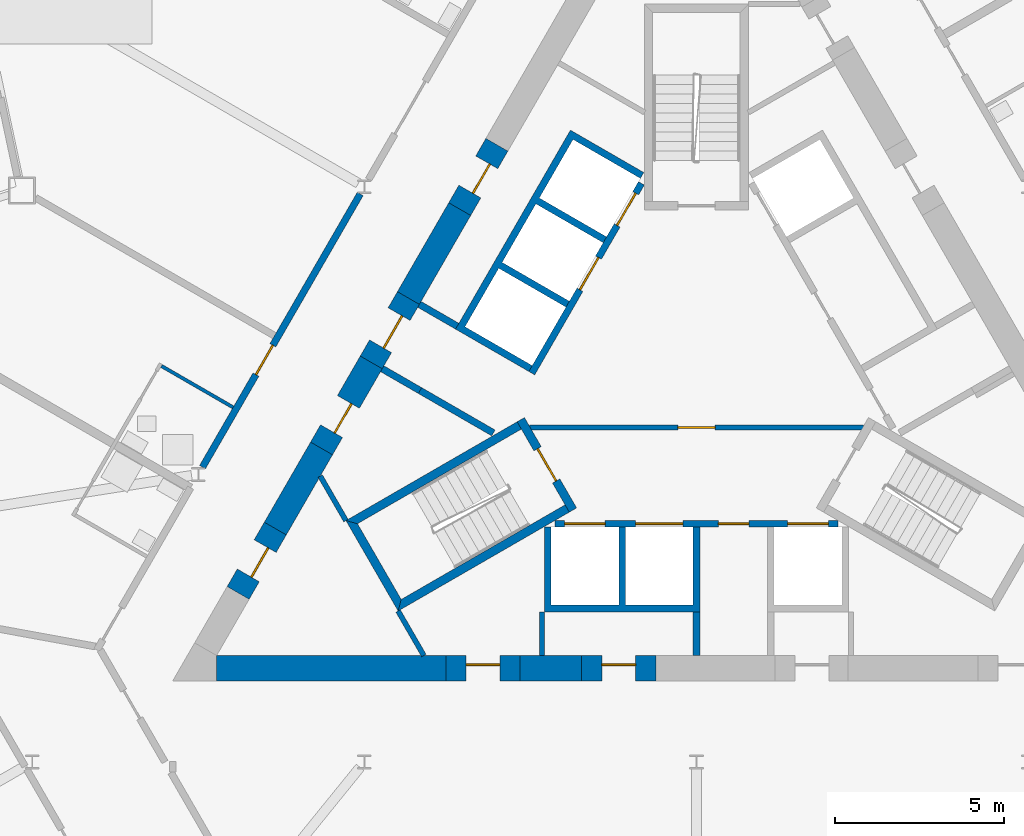
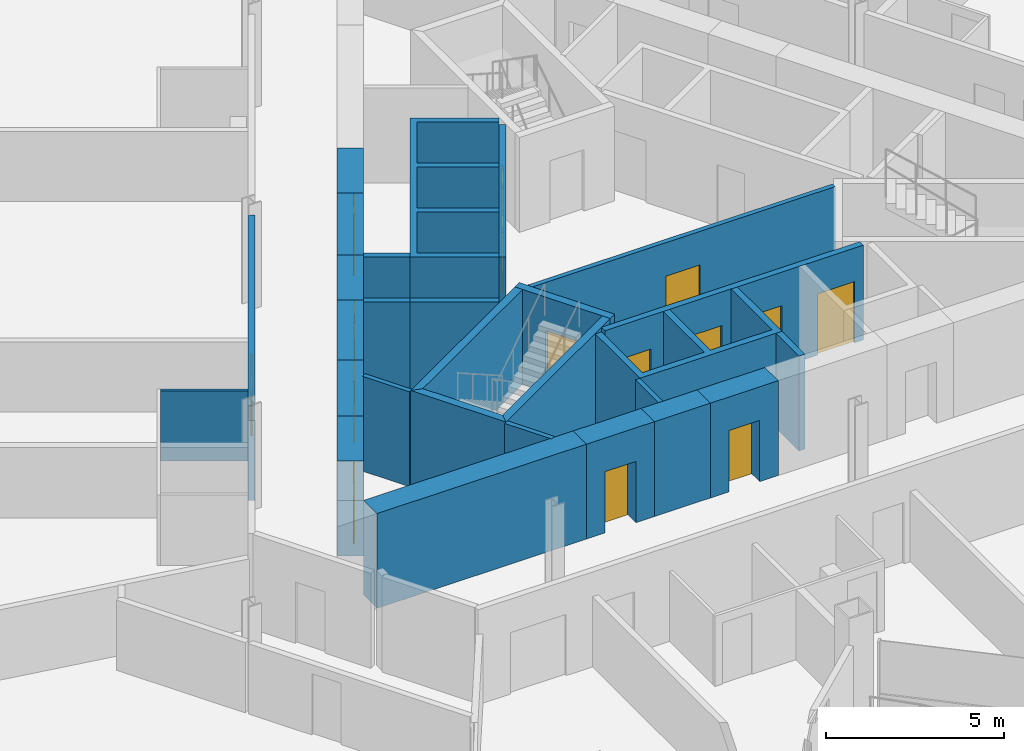
# One storey, part 12 of 24: 28 walls, 15 doors, 15 openings.
"""IFC4 building model written with IfcOpenShell, lengths in metres."""

from ifc_helpers import new_model, si_unit, direction, frame, frame_2d, origin, place, context, subcontext, project, spatial, polyline, rectangle, outline, extrude, material, layer, layer_set, type_object, element, fill, save


model = new_model("IFC4")

# Units and contexts
model_context = context("Model", 3, precision=1e-05, world=origin(), true_north=direction((0.0, 1.0)))
body_context = subcontext(model_context, "Body", "Model", "MODEL_VIEW")
ifc_project = project(units=[si_unit("LENGTHUNIT", "METRE"), si_unit("AREAUNIT", "SQUARE_METRE"), si_unit("VOLUMEUNIT", "CUBIC_METRE"), si_unit("PLANEANGLEUNIT", "RADIAN"), si_unit("MASSUNIT", "GRAM", prefix="KILO")], contexts=[model_context])

# Site, building, storey
site_placement = place(None, origin())
site = spatial("IfcSite", under=ifc_project, at=site_placement, CompositionType="ELEMENT")
building_placement = place(site_placement, origin())
building = spatial("IfcBuilding", under=site, at=building_placement, Name="Cormorant Prow Tower", CompositionType="ELEMENT")
storey_placement = place(building_placement, frame((0.0, 0.0, 205.199951171875)))
storey = spatial("IfcBuildingStorey", under=building, at=storey_placement, Name="L45", CompositionType="ELEMENT", Elevation=205.199951171875)

# Wall, opening, door
ifc_material_1 = material(Name="Gypsum board partition")
ifc_layer_1 = layer(ifc_material_1, 0.14990234375)
ifc_layer_set_1 = layer_set([ifc_layer_1], Name="Gypsum board partition")
wall_type_1 = type_object("IfcWallType", Name="Core partition 150", PredefinedType="PARTITIONING", material=ifc_layer_set_1)
wall_1_placement = place(storey_placement, frame((-4.941162109375, -1.449951171875, 0.0), z_axis=(0.0, 0.0, 1.0), x_axis=(1.0, 0.0, 0.0)))
wall_1 = element("IfcWall", 1, at=wall_1_placement, inside=storey, type_object=wall_type_1, Name="Firefighting lobby partition", PredefinedType="PARTITIONING", context=body_context, shape_type="SweptSolid", body=[
    extrude(rectangle(XDim=9.88232421875, YDim=0.14990234375, at=frame_2d((4.941162109375, 0.0))), origin(), (0.0, 0.0, 1.0), 3.25),
])
opening_1_placement = place(wall_1_placement, frame((4.39111328125, 0.0, 0.0)))
opening_1 = element("IfcOpeningElement", 2, at=opening_1_placement, cuts=wall_1, Name="Opening L45-C10", PredefinedType="OPENING", context=body_context, shape_type="SweptSolid", body=[
    extrude(rectangle(XDim=1.10009765625, YDim=2.10009765625, at=frame_2d((0.550048828125, 1.050048828125))), frame((0.0, 0.0849609375, 0.0), z_axis=(0.0, -1.0, 0.0), x_axis=(1.0, 0.0, 0.0)), (0.0, 0.0, 1.0), 0.169921875),
])
ifc_material_2 = material(Name="Painted steel", Category="steel")
door_type_1 = type_object("IfcDoorType", Name="Firefighting lobby door 1100x2100", OperationType="NOTDEFINED", PredefinedType="DOOR", material=ifc_material_2)
door_1_placement = place(opening_1_placement, origin())
door_1 = element("IfcDoor", 3, at=door_1_placement, inside=storey, type_object=door_type_1, Name="Firefighting lobby door", OperationType="SINGLE_SWING_LEFT", OverallHeight=2.10009765625, OverallWidth=1.10009765625, PredefinedType="DOOR", context=body_context, shape_type="SweptSolid", body=[
    extrude(rectangle(XDim=1.10009765625, YDim=2.10009765625, at=frame_2d((0.550048828125, 1.050048828125))), frame((0.0, 0.02490234375, 0.0), z_axis=(0.0, -1.0, 0.0), x_axis=(1.0, 0.0, 0.0)), (0.0, 0.0, 1.0), 0.050048828125),
])
fill(opening_1, door_1)

# Walls
wall_2_placement = place(storey_placement, frame((-4.574951171875, -6.906005859375, 0.0), z_axis=(0.0, 0.0, 1.0), x_axis=(0.0, -1.0, 0.0)))
element("IfcWall", 4, at=wall_2_placement, inside=storey, type_object=wall_type_1, Name="Service room partition", PredefinedType="PARTITIONING", context=body_context, shape_type="SweptSolid", body=[
    extrude(rectangle(XDim=1.29296875, YDim=0.14990234375, at=frame_2d((0.646484375, 0.0))), origin(), (0.0, 0.0, 1.0), 3.25),
])
for number, where, z_axis, x_axis, name in (
    (5, (-8.82958984375, -6.880615234375, 0.0), (0.0, 0.0, 1.0), (0.500037110984, -0.866003976688, 0.0), "Service room partition"),
    (6, (-10.37353515625, -4.206298828125, 0.0), (0.0, 0.0, 1.0), (-0.500037110984, 0.866003976688, 0.0), "Service room partition"),
):
    element("IfcWall", number, at=place(storey_placement, frame(where, z_axis=z_axis, x_axis=x_axis)), inside=storey, type_object=wall_type_1, Name=name, PredefinedType="PARTITIONING", context=body_context, shape_type="SweptSolid", body=[
        extrude(rectangle(XDim=1.5224609375, YDim=0.14990234375, at=frame_2d((0.76123046875, 0.0))), origin(), (0.0, 0.0, 1.0), 3.25),
    ])
ifc_material_3 = material(Name="Concrete 8000 psi", Category="concrete")
ifc_layer_2 = layer(ifc_material_3, 0.75)
ifc_layer_set_2 = layer_set([ifc_layer_2], Name="Concrete 8000 psi")
wall_type_2 = type_object("IfcWallType", Name="Core shear wall 750", PredefinedType="SHEAR", material=ifc_layer_set_2)
wall_3_placement = place(storey_placement, frame((-14.200927734375, -8.573974609375, 0.0), z_axis=(0.0, 0.0, 1.0), x_axis=(1.0, 0.0, 0.0)))
element("IfcWall", 7, at=wall_3_placement, inside=storey, type_object=wall_type_2, Name="Core wall", PredefinedType="SHEAR", context=body_context, shape_type="SweptSolid", body=[
    extrude(rectangle(XDim=6.784912109375, YDim=0.75, at=frame_2d((3.392578125, 0.0))), origin(), (0.0, 0.0, 1.0), 3.25),
])
wall_4_placement = place(storey_placement, frame((-5.2158203125, -8.573974609375, 0.0), z_axis=(0.0, 0.0, 1.0), x_axis=(1.0, 0.0, 0.0)))
element("IfcWall", 8, at=wall_4_placement, inside=storey, type_object=wall_type_2, Name="Core wall", PredefinedType="SHEAR", context=body_context, shape_type="SweptSolid", body=[
    extrude(rectangle(XDim=1.81591796875, YDim=0.75, at=frame_2d((0.907958984375, 0.0))), origin(), (0.0, 0.0, 1.0), 3.25),
])
wall_5_placement = place(storey_placement, frame((-7.00634765625, 5.012451171875, 0.0), z_axis=(0.0, 0.0, 1.0), x_axis=(-0.49996826437, -0.866043725583, 0.0)))
element("IfcWall", 9, at=wall_5_placement, inside=storey, type_object=wall_type_2, Name="Core wall", PredefinedType="SHEAR", context=body_context, shape_type="SweptSolid", body=[
    extrude(rectangle(XDim=3.037841796875, YDim=0.75, at=frame_2d((1.51904296875, 0.0))), origin(), (0.0, 0.0, 1.0), 3.25),
])
wall_6_placement = place(storey_placement, frame((-11.095703125, -2.0703125, 0.0), z_axis=(0.0, 0.0, 1.0), x_axis=(-0.49992834617, -0.86606676919, 0.0)))
element("IfcWall", 10, at=wall_6_placement, inside=storey, type_object=wall_type_2, Name="Core wall", PredefinedType="SHEAR", context=body_context, shape_type="SweptSolid", body=[
    extrude(rectangle(XDim=2.7373046875, YDim=0.75, at=frame_2d((1.36865234375, 0.0))), origin(), (0.0, 0.0, 1.0), 3.25),
])

# Wall, opening, door
wall_7_placement = place(storey_placement, frame((-3.39990234375, -8.573974609375, 0.0), z_axis=(0.0, 0.0, 1.0), x_axis=(1.0, 0.0, 0.0)))
wall_7 = element("IfcWall", 11, at=wall_7_placement, inside=storey, type_object=wall_type_2, Name="Core wall door panel", PredefinedType="SHEAR", context=body_context, shape_type="SweptSolid", body=[
    extrude(rectangle(XDim=2.199951171875, YDim=0.75, at=frame_2d((1.10009765625, 0.0))), origin(), (0.0, 0.0, 1.0), 3.25),
])
opening_2_placement = place(wall_7_placement, frame((0.60009765625, 0.0, 0.0)))
opening_2 = element("IfcOpeningElement", 12, at=opening_2_placement, cuts=wall_7, Name="Opening L45-C14", PredefinedType="OPENING", context=body_context, shape_type="SweptSolid", body=[
    extrude(rectangle(XDim=1.0, YDim=2.10009765625, at=frame_2d((0.5, 1.050048828125))), frame((0.0, 0.385009765625, 0.0), z_axis=(0.0, -1.0, 0.0), x_axis=(1.0, 0.0, 0.0)), (0.0, 0.0, 1.0), 0.77001953125),
])
ifc_material_4 = material(Name="Painted steel", Category="steel")
door_type_2 = type_object("IfcDoorType", Name="Service door 1000x2100", OperationType="NOTDEFINED", PredefinedType="DOOR", material=ifc_material_4)
door_2_placement = place(opening_2_placement, origin())
door_2 = element("IfcDoor", 13, at=door_2_placement, inside=storey, type_object=door_type_2, Name="Core door, Electrical room", OperationType="SINGLE_SWING_RIGHT", OverallHeight=2.10009765625, OverallWidth=1.0, PredefinedType="DOOR", context=body_context, shape_type="SweptSolid", body=[
    extrude(rectangle(XDim=1.0, YDim=2.10009765625, at=frame_2d((0.5, 1.050048828125))), frame((0.0, 0.1298828125, 0.0), z_axis=(0.0, -1.0, 0.0), x_axis=(1.0, 0.0, 0.0)), (0.0, 0.0, 1.0), 0.050048828125),
])
fill(opening_2, door_2)

wall_8_placement = place(storey_placement, frame((-12.46435546875, -4.44091796875, 0.0), z_axis=(0.0, 0.0, 1.0), x_axis=(-0.499994660107, -0.866028486751, 0.0)))
wall_8 = element("IfcWall", 14, at=wall_8_placement, inside=storey, type_object=wall_type_2, Name="Core wall door panel", PredefinedType="SHEAR", context=body_context, shape_type="SweptSolid", body=[
    extrude(rectangle(XDim=2.19970703125, YDim=0.75, at=frame_2d((1.099853515625, 0.0))), origin(), (0.0, 0.0, 1.0), 3.25),
])
opening_3_placement = place(wall_8_placement, frame((0.60009765625, 0.0, 0.0)))
opening_3 = element("IfcOpeningElement", 15, at=opening_3_placement, cuts=wall_8, Name="Opening L45-C16", PredefinedType="OPENING", context=body_context, shape_type="SweptSolid", body=[
    extrude(rectangle(XDim=1.0, YDim=2.10009765625, at=frame_2d((0.5, 1.050048828125))), frame((0.0, 0.385009765625, 0.0), z_axis=(0.0, -1.0, 0.0), x_axis=(1.0, 0.0, 0.0)), (0.0, 0.0, 1.0), 0.77001953125),
])
door_3_placement = place(opening_3_placement, origin())
door_3 = element("IfcDoor", 16, at=door_3_placement, inside=storey, type_object=door_type_2, Name="Core door, Mechanical riser room", OperationType="SINGLE_SWING_RIGHT", OverallHeight=2.10009765625, OverallWidth=1.0, PredefinedType="DOOR", context=body_context, shape_type="SweptSolid", body=[
    extrude(rectangle(XDim=1.0, YDim=2.10009765625, at=frame_2d((0.5, 1.050048828125))), frame((0.0, 0.1298828125, 0.0), z_axis=(0.0, -1.0, 0.0), x_axis=(1.0, 0.0, 0.0)), (0.0, 0.0, 1.0), 0.050048828125),
])
fill(opening_3, door_3)

wall_9_placement = place(storey_placement, frame((-5.906494140625, 6.917724609375, 0.0), z_axis=(0.0, 0.0, 1.0), x_axis=(-0.499946605688, -0.86605622881, 0.0)))
wall_9 = element("IfcWall", 17, at=wall_9_placement, inside=storey, type_object=wall_type_2, Name="Core wall door panel", PredefinedType="SHEAR", context=body_context, shape_type="SweptSolid", body=[
    extrude(rectangle(XDim=2.199951171875, YDim=0.75, at=frame_2d((1.10009765625, 0.0))), origin(), (0.0, 0.0, 1.0), 3.25),
])
opening_4_placement = place(wall_9_placement, frame((0.60009765625, 0.0, 0.0)))
opening_4 = element("IfcOpeningElement", 18, at=opening_4_placement, cuts=wall_9, Name="Opening L45-C18", PredefinedType="OPENING", context=body_context, shape_type="SweptSolid", body=[
    extrude(rectangle(XDim=1.0, YDim=2.10009765625, at=frame_2d((0.5, 1.050048828125))), frame((0.0, 0.385009765625, 0.0), z_axis=(0.0, -1.0, 0.0), x_axis=(1.0, 0.0, 0.0)), (0.0, 0.0, 1.0), 0.77001953125),
])
door_4_placement = place(opening_4_placement, origin())
door_4 = element("IfcDoor", 19, at=door_4_placement, inside=storey, type_object=door_type_2, Name="Core door, Electrical room", OperationType="SINGLE_SWING_LEFT", OverallHeight=2.10009765625, OverallWidth=1.0, PredefinedType="DOOR", context=body_context, shape_type="SweptSolid", body=[
    extrude(rectangle(XDim=1.0, YDim=2.10009765625, at=frame_2d((0.5, 1.050048828125))), frame((0.0, 0.1298828125, 0.0), z_axis=(0.0, -1.0, 0.0), x_axis=(1.0, 0.0, 0.0)), (0.0, 0.0, 1.0), 0.050048828125),
])
fill(opening_4, door_4)

wall_10_placement = place(storey_placement, frame((-9.625244140625, 0.4765625, 0.0), z_axis=(0.0, 0.0, 1.0), x_axis=(-0.500005104963, -0.866022456413, 0.0)))
wall_10 = element("IfcWall", 20, at=wall_10_placement, inside=storey, type_object=wall_type_2, Name="Core wall door panel", PredefinedType="SHEAR", context=body_context, shape_type="SweptSolid", body=[
    extrude(rectangle(XDim=2.94091796875, YDim=0.75, at=frame_2d((1.470458984375, 0.0))), origin(), (0.0, 0.0, 1.0), 3.25),
])
opening_5_placement = place(wall_10_placement, frame((1.35009765625, 0.0, 0.0)))
opening_5 = element("IfcOpeningElement", 21, at=opening_5_placement, cuts=wall_10, Name="Opening L45-C21", PredefinedType="OPENING", context=body_context, shape_type="SweptSolid", body=[
    extrude(rectangle(XDim=1.0, YDim=2.10009765625, at=frame_2d((0.5, 1.050048828125))), frame((0.0, 0.385009765625, 0.0), z_axis=(0.0, -1.0, 0.0), x_axis=(1.0, 0.0, 0.0)), (0.0, 0.0, 1.0), 0.77001953125),
])
door_5_placement = place(opening_5_placement, origin())
door_5 = element("IfcDoor", 22, at=door_5_placement, inside=storey, type_object=door_type_2, Name="Core door, Mechanical riser room", OperationType="SINGLE_SWING_RIGHT", OverallHeight=2.10009765625, OverallWidth=1.0, PredefinedType="DOOR", context=body_context, shape_type="SweptSolid", body=[
    extrude(rectangle(XDim=1.0, YDim=2.10009765625, at=frame_2d((0.5, 1.050048828125))), frame((0.0, 0.1298828125, 0.0), z_axis=(0.0, -1.0, 0.0), x_axis=(1.0, 0.0, 0.0)), (0.0, 0.0, 1.0), 0.050048828125),
])
fill(opening_5, door_5)

wall_11_placement = place(storey_placement, frame((-7.416015625, -8.573974609375, 0.0), z_axis=(0.0, 0.0, 1.0), x_axis=(1.0, 0.0, 0.0)))
wall_11 = element("IfcWall", 23, at=wall_11_placement, inside=storey, type_object=wall_type_2, Name="Core wall door panel", PredefinedType="SHEAR", context=body_context, shape_type="SweptSolid", body=[
    extrude(rectangle(XDim=2.2001953125, YDim=0.75, at=frame_2d((1.10009765625, 0.0))), origin(), (0.0, 0.0, 1.0), 3.25),
])
opening_6_placement = place(wall_11_placement, frame((0.60009765625, 0.0, 0.0)))
opening_6 = element("IfcOpeningElement", 24, at=opening_6_placement, cuts=wall_11, Name="Opening L45-C22", PredefinedType="OPENING", context=body_context, shape_type="SweptSolid", body=[
    extrude(rectangle(XDim=1.0, YDim=2.10009765625, at=frame_2d((0.5, 1.050048828125))), frame((0.0, 0.385009765625, 0.0), z_axis=(0.0, -1.0, 0.0), x_axis=(1.0, 0.0, 0.0)), (0.0, 0.0, 1.0), 0.77001953125),
])
door_6_placement = place(opening_6_placement, origin())
door_6 = element("IfcDoor", 25, at=door_6_placement, inside=storey, type_object=door_type_2, Name="Core door, Mechanical riser room", OperationType="SINGLE_SWING_RIGHT", OverallHeight=2.10009765625, OverallWidth=1.0, PredefinedType="DOOR", context=body_context, shape_type="SweptSolid", body=[
    extrude(rectangle(XDim=1.0, YDim=2.10009765625, at=frame_2d((0.5, 1.050048828125))), frame((0.0, 0.1298828125, 0.0), z_axis=(0.0, -1.0, 0.0), x_axis=(1.0, 0.0, 0.0)), (0.0, 0.0, 1.0), 0.050048828125),
])
fill(opening_6, door_6)

wall_12_placement = place(storey_placement, frame((-8.525146484375, 2.381591796875, 0.0), z_axis=(0.0, 0.0, 1.0), x_axis=(-0.500077893725, -0.86598042715, 0.0)))
wall_12 = element("IfcWall", 26, at=wall_12_placement, inside=storey, type_object=wall_type_2, Name="Core wall door panel", PredefinedType="SHEAR", context=body_context, shape_type="SweptSolid", body=[
    extrude(rectangle(XDim=2.199951171875, YDim=0.75, at=frame_2d((1.10009765625, 0.0))), origin(), (0.0, 0.0, 1.0), 3.25),
])
opening_7_placement = place(wall_12_placement, frame((0.550048828125, 0.0, 0.0)))
opening_7 = element("IfcOpeningElement", 27, at=opening_7_placement, cuts=wall_12, Name="Opening L45-C24", PredefinedType="OPENING", context=body_context, shape_type="SweptSolid", body=[
    extrude(rectangle(XDim=1.10009765625, YDim=2.10009765625, at=frame_2d((0.550048828125, 1.050048828125))), frame((0.0, 0.385009765625, 0.0), z_axis=(0.0, -1.0, 0.0), x_axis=(1.0, 0.0, 0.0)), (0.0, 0.0, 1.0), 0.77001953125),
])
ifc_material_5 = material(Name="Painted steel", Category="steel")
door_type_3 = type_object("IfcDoorType", Name="Core door 1100x2100", OperationType="NOTDEFINED", PredefinedType="DOOR", material=ifc_material_5)
door_7_placement = place(opening_7_placement, origin())
door_7 = element("IfcDoor", 28, at=door_7_placement, inside=storey, type_object=door_type_3, Name="Core door, lift lobby", OperationType="SINGLE_SWING_LEFT", OverallHeight=2.10009765625, OverallWidth=1.10009765625, PredefinedType="DOOR", context=body_context, shape_type="SweptSolid", body=[
    extrude(rectangle(XDim=1.10009765625, YDim=2.10009765625, at=frame_2d((0.550048828125, 1.050048828125))), frame((0.0, 0.1298828125, 0.0), z_axis=(0.0, -1.0, 0.0), x_axis=(1.0, 0.0, 0.0)), (0.0, 0.0, 1.0), 0.050048828125),
])
fill(opening_7, door_7)

ifc_material_6 = material(Name="Gypsum board corridor wall")
ifc_layer_3 = layer(ifc_material_6, 0.199951171875)
ifc_layer_set_3 = layer_set([ifc_layer_3], Name="Gypsum board corridor wall")
wall_type_3 = type_object("IfcWallType", Name="Corridor wall 200", PredefinedType="PARTITIONING", material=ifc_layer_set_3)
wall_13_placement = place(storey_placement, frame((-14.619384765625, -2.62353515625, 0.0), z_axis=(0.0, 0.0, 1.0), x_axis=(0.50000393355, 0.866023132736, 0.0)))
wall_13 = element("IfcWall", 29, at=wall_13_placement, inside=storey, type_object=wall_type_3, Name="Corridor wall", PredefinedType="PARTITIONING", context=body_context, shape_type="SweptSolid", body=[
    extrude(rectangle(XDim=9.3349609375, YDim=0.199951171875, at=frame_2d((4.66748046875, 0.0))), origin(), (0.0, 0.0, 1.0), 3.25),
])
opening_8_placement = place(wall_13_placement, frame((3.1630859375, 0.0, 0.0)))
opening_8 = element("IfcOpeningElement", 30, at=opening_8_placement, cuts=wall_13, Name="Opening L45-F26", PredefinedType="OPENING", context=body_context, shape_type="SweptSolid", body=[
    extrude(rectangle(XDim=1.0, YDim=2.10009765625, at=frame_2d((0.5, 1.050048828125))), frame((0.0, 0.10986328125, 0.0), z_axis=(0.0, -1.0, 0.0), x_axis=(1.0, 0.0, 0.0)), (0.0, 0.0, 1.0), 0.219970703125),
])
ifc_material_7 = material(Name="Timber door leaf", Category="wood")
door_type_4 = type_object("IfcDoorType", Name="Flat or room entrance door 1000x2100", OperationType="NOTDEFINED", PredefinedType="DOOR", material=ifc_material_7)
door_8_placement = place(opening_8_placement, origin())
door_8 = element("IfcDoor", 31, at=door_8_placement, inside=storey, type_object=door_type_4, Name="Guest room door", OperationType="SINGLE_SWING_RIGHT", OverallHeight=2.10009765625, OverallWidth=1.0, PredefinedType="DOOR", context=body_context, shape_type="SweptSolid", body=[
    extrude(rectangle(XDim=1.0, YDim=2.10009765625, at=frame_2d((0.5, 1.050048828125))), frame((0.0, 0.02490234375, 0.0), z_axis=(0.0, -1.0, 0.0), x_axis=(1.0, 0.0, 0.0)), (0.0, 0.0, 1.0), 0.050048828125),
])
fill(opening_8, door_8)

# Wall
ifc_material_8 = material(Name="Gypsum board partition")
ifc_layer_4 = layer(ifc_material_8, 0.10009765625)
ifc_layer_set_4 = layer_set([ifc_layer_4], Name="Gypsum board partition")
wall_type_4 = type_object("IfcWallType", Name="Internal partition 100", PredefinedType="PARTITIONING", material=ifc_layer_set_4)
wall_14_placement = place(storey_placement, frame((-15.8349609375, 0.37109375, 0.0), z_axis=(0.0, 0.0, 1.0), x_axis=(0.866014668023, -0.500018594424, 0.0)))
element("IfcWall", 32, at=wall_14_placement, inside=storey, type_object=wall_type_4, Name="Internal partition", PredefinedType="PARTITIONING", context=body_context, shape_type="SweptSolid", body=[
    extrude(rectangle(XDim=2.4501953125, YDim=0.10009765625, at=frame_2d((1.22509765625, 0.0))), origin(), (0.0, 0.0, 1.0), 2.404296875),
])

# Wall, openings, doors
ifc_material_9 = material(Name="Concrete 5000 psi", Category="concrete")
ifc_layer_5 = layer(ifc_material_9, 0.199951171875)
ifc_layer_set_5 = layer_set([ifc_layer_5], Name="Concrete 5000 psi")
wall_type_5 = type_object("IfcWallType", Name="Lift lobby wall 200", PredefinedType="SOLIDWALL", material=ifc_layer_set_5)
wall_15_placement = place(storey_placement, frame((-4.1865234375, -4.300048828125, 0.0), z_axis=(0.0, 0.0, 1.0), x_axis=(1.0, 0.0, 0.0)))
wall_15 = element("IfcWall", 33, at=wall_15_placement, inside=storey, type_object=wall_type_5, Name="Lift lobby wall, S block", PredefinedType="SOLIDWALL", context=body_context, shape_type="SweptSolid", body=[
    extrude(rectangle(XDim=8.373046875, YDim=0.199951171875, at=frame_2d((4.1865234375, 0.0))), origin(), (0.0, 0.0, 1.0), 3.25),
])
opening_9_placement = place(wall_15_placement, frame((0.28662109375, 0.0, 0.0)))
opening_9 = element("IfcOpeningElement", 34, at=opening_9_placement, cuts=wall_15, Name="Opening L45-C01", PredefinedType="OPENING", context=body_context, shape_type="SweptSolid", body=[
    extrude(rectangle(XDim=1.199951171875, YDim=2.10009765625, at=frame_2d((0.60009765625, 1.050048828125))), frame((0.0, 0.10986328125, 0.0), z_axis=(0.0, -1.0, 0.0), x_axis=(1.0, 0.0, 0.0)), (0.0, 0.0, 1.0), 0.219970703125),
])
opening_10_placement = place(wall_15_placement, frame((2.38671875, 0.0, 0.0)))
opening_10 = element("IfcOpeningElement", 35, at=opening_10_placement, cuts=wall_15, Name="Opening L45-C02", PredefinedType="OPENING", context=body_context, shape_type="SweptSolid", body=[
    extrude(rectangle(XDim=1.39990234375, YDim=2.10009765625, at=frame_2d((0.699951171875, 1.050048828125))), frame((0.0, 0.10986328125, 0.0), z_axis=(0.0, -1.0, 0.0), x_axis=(1.0, 0.0, 0.0)), (0.0, 0.0, 1.0), 0.219970703125),
])
opening_11_placement = place(wall_15_placement, frame((4.836669921875, 0.0, 0.0)))
opening_11 = element("IfcOpeningElement", 36, at=opening_11_placement, cuts=wall_15, Name="Opening L45-C03", PredefinedType="OPENING", context=body_context, shape_type="SweptSolid", body=[
    extrude(rectangle(XDim=0.89990234375, YDim=2.10009765625, at=frame_2d((0.449951171875, 1.050048828125))), frame((0.0, 0.10986328125, 0.0), z_axis=(0.0, -1.0, 0.0), x_axis=(1.0, 0.0, 0.0)), (0.0, 0.0, 1.0), 0.219970703125),
])
opening_12_placement = place(wall_15_placement, frame((6.88671875, 0.0, 0.0)))
opening_12 = element("IfcOpeningElement", 37, at=opening_12_placement, cuts=wall_15, Name="Opening L45-C04", PredefinedType="OPENING", context=body_context, shape_type="SweptSolid", body=[
    extrude(rectangle(XDim=1.199951171875, YDim=2.10009765625, at=frame_2d((0.60009765625, 1.050048828125))), frame((0.0, 0.10986328125, 0.0), z_axis=(0.0, -1.0, 0.0), x_axis=(1.0, 0.0, 0.0)), (0.0, 0.0, 1.0), 0.219970703125),
])
ifc_material_10 = material(Name="Painted steel", Category="steel")
door_type_5 = type_object("IfcDoorType", Name="Firefighting lift landing door 1200x2100", OperationType="SLIDING_TO_LEFT", PredefinedType="DOOR", material=ifc_material_10)
door_9_placement = place(opening_9_placement, origin())
door_9 = element("IfcDoor", 38, at=door_9_placement, inside=storey, type_object=door_type_5, Name="Landing door FL1", OperationType="SLIDING_TO_LEFT", OverallHeight=2.10009765625, OverallWidth=1.199951171875, PredefinedType="DOOR", context=body_context, shape_type="SweptSolid", body=[
    extrude(rectangle(XDim=1.199951171875, YDim=2.10009765625, at=frame_2d((0.60009765625, 1.050048828125))), frame((0.0, 0.02490234375, 0.0), z_axis=(0.0, -1.0, 0.0), x_axis=(1.0, 0.0, 0.0)), (0.0, 0.0, 1.0), 0.050048828125),
])
fill(opening_9, door_9)
door_10_placement = place(opening_12_placement, origin())
door_10 = element("IfcDoor", 39, at=door_10_placement, inside=storey, type_object=door_type_5, Name="Landing door FL2", OperationType="SLIDING_TO_LEFT", OverallHeight=2.10009765625, OverallWidth=1.199951171875, PredefinedType="DOOR", context=body_context, shape_type="SweptSolid", body=[
    extrude(rectangle(XDim=1.199951171875, YDim=2.10009765625, at=frame_2d((0.60009765625, 1.050048828125))), frame((0.0, 0.02490234375, 0.0), z_axis=(0.0, -1.0, 0.0), x_axis=(1.0, 0.0, 0.0)), (0.0, 0.0, 1.0), 0.050048828125),
])
fill(opening_12, door_10)
ifc_material_11 = material(Name="Painted steel", Category="steel")
door_type_6 = type_object("IfcDoorType", Name="Service door 900x2100", OperationType="NOTDEFINED", PredefinedType="DOOR", material=ifc_material_11)
door_11_placement = place(opening_11_placement, origin())
door_11 = element("IfcDoor", 40, at=door_11_placement, inside=storey, type_object=door_type_6, Name="Service door, Electrical room", OperationType="SINGLE_SWING_RIGHT", OverallHeight=2.10009765625, OverallWidth=0.89990234375, PredefinedType="DOOR", context=body_context, shape_type="SweptSolid", body=[
    extrude(rectangle(XDim=0.89990234375, YDim=2.10009765625, at=frame_2d((0.449951171875, 1.050048828125))), frame((0.0, 0.02490234375, 0.0), z_axis=(0.0, -1.0, 0.0), x_axis=(1.0, 0.0, 0.0)), (0.0, 0.0, 1.0), 0.050048828125),
])
fill(opening_11, door_11)
ifc_material_12 = material(Name="Painted steel", Category="steel")
door_type_7 = type_object("IfcDoorType", Name="Service lift landing door 1400x2100", OperationType="SLIDING_TO_LEFT", PredefinedType="DOOR", material=ifc_material_12)
door_12_placement = place(opening_10_placement, origin())
door_12 = element("IfcDoor", 41, at=door_12_placement, inside=storey, type_object=door_type_7, Name="Landing door SL1", OperationType="SLIDING_TO_LEFT", OverallHeight=2.10009765625, OverallWidth=1.39990234375, PredefinedType="DOOR", context=body_context, shape_type="SweptSolid", body=[
    extrude(rectangle(XDim=1.39990234375, YDim=2.10009765625, at=frame_2d((0.699951171875, 1.050048828125))), frame((0.0, 0.02490234375, 0.0), z_axis=(0.0, -1.0, 0.0), x_axis=(1.0, 0.0, 0.0)), (0.0, 0.0, 1.0), 0.050048828125),
])
fill(opening_10, door_12)

wall_16_placement = place(storey_placement, frame((-1.630615234375, 5.775634765625, 0.0), z_axis=(0.0, 0.0, 1.0), x_axis=(-0.499992876559, -0.866029516466, 0.0)))
wall_16 = element("IfcWall", 42, at=wall_16_placement, inside=storey, type_object=wall_type_5, Name="Lift lobby wall, WNW block", PredefinedType="SOLIDWALL", context=body_context, shape_type="SweptSolid", body=[
    extrude(rectangle(XDim=6.486328125, YDim=0.199951171875, at=frame_2d((3.2431640625, 0.0))), origin(), (0.0, 0.0, 1.0), 3.25),
])
opening_13_placement = place(wall_16_placement, frame((0.336669921875, 0.0, 0.0)))
opening_13 = element("IfcOpeningElement", 43, at=opening_13_placement, cuts=wall_16, Name="Opening L45-C08", PredefinedType="OPENING", context=body_context, shape_type="SweptSolid", body=[
    extrude(rectangle(XDim=1.10009765625, YDim=2.10009765625, at=frame_2d((0.550048828125, 1.050048828125))), frame((0.0, 0.10986328125, 0.0), z_axis=(0.0, -1.0, 0.0), x_axis=(1.0, 0.0, 0.0)), (0.0, 0.0, 1.0), 0.219970703125),
])
opening_14_placement = place(wall_16_placement, frame((2.53662109375, 0.0, 0.0)))
opening_14 = element("IfcOpeningElement", 44, at=opening_14_placement, cuts=wall_16, Name="Opening L45-C09", PredefinedType="OPENING", context=body_context, shape_type="SweptSolid", body=[
    extrude(rectangle(XDim=1.10009765625, YDim=2.10009765625, at=frame_2d((0.550048828125, 1.050048828125))), frame((0.0, 0.10986328125, 0.0), z_axis=(0.0, -1.0, 0.0), x_axis=(1.0, 0.0, 0.0)), (0.0, 0.0, 1.0), 0.219970703125),
])
ifc_material_13 = material(Name="Painted steel", Category="steel")
door_type_8 = type_object("IfcDoorType", Name="Lift landing door 1100x2100", OperationType="SLIDING_TO_LEFT", PredefinedType="DOOR", material=ifc_material_13)
door_13_placement = place(opening_13_placement, origin())
door_13 = element("IfcDoor", 45, at=door_13_placement, inside=storey, type_object=door_type_8, Name="Landing door MR2", OperationType="SLIDING_TO_LEFT", OverallHeight=2.10009765625, OverallWidth=1.10009765625, PredefinedType="DOOR", context=body_context, shape_type="SweptSolid", body=[
    extrude(rectangle(XDim=1.10009765625, YDim=2.10009765625, at=frame_2d((0.550048828125, 1.050048828125))), frame((0.0, 0.02490234375, 0.0), z_axis=(0.0, -1.0, 0.0), x_axis=(1.0, 0.0, 0.0)), (0.0, 0.0, 1.0), 0.050048828125),
])
fill(opening_13, door_13)
door_14_placement = place(opening_14_placement, origin())
door_14 = element("IfcDoor", 46, at=door_14_placement, inside=storey, type_object=door_type_8, Name="Landing door MR3", OperationType="SLIDING_TO_LEFT", OverallHeight=2.10009765625, OverallWidth=1.10009765625, PredefinedType="DOOR", context=body_context, shape_type="SweptSolid", body=[
    extrude(rectangle(XDim=1.10009765625, YDim=2.10009765625, at=frame_2d((0.550048828125, 1.050048828125))), frame((0.0, 0.02490234375, 0.0), z_axis=(0.0, -1.0, 0.0), x_axis=(1.0, 0.0, 0.0)), (0.0, 0.0, 1.0), 0.050048828125),
])
fill(opening_14, door_14)

# Walls
ifc_material_14 = material(Name="Concrete 8000 psi", Category="concrete")
ifc_layer_6 = layer(ifc_material_14, 0.199951171875)
ifc_layer_set_6 = layer_set([ifc_layer_6], Name="Concrete 8000 psi")
wall_type_6 = type_object("IfcWallType", Name="Lift shaft wall 200", PredefinedType="SHEAR", material=ifc_layer_set_6)
wall_17_placement = place(storey_placement, origin())
element("IfcWall", 47, at=wall_17_placement, inside=storey, type_object=wall_type_6, Name="Lift shaft walls, S block", PredefinedType="SHEAR", context=body_context, shape_type="SweptSolid", body=[
    extrude(outline(polyline([(0.10009765625, -4.39990234375), (0.10009765625, -6.906005859375), (-4.5, -6.906005859375), (-4.5, -4.39990234375), (-4.300048828125, -4.39990234375), (-4.300048828125, -6.699951171875), (-2.300048828125, -6.699951171875), (-2.300048828125, -4.39990234375), (-2.10009765625, -4.39990234375), (-2.10009765625, -6.699951171875), (-0.10009765625, -6.699951171875), (-0.10009765625, -4.39990234375), (0.10009765625, -4.39990234375)])), origin(), (0.0, 0.0, 1.0), 3.25),
])
wall_18_placement = place(storey_placement, frame((0.0, -6.906005859375, 0.0), z_axis=(0.0, 0.0, 1.0), x_axis=(0.0, -1.0, 0.0)))
element("IfcWall", 48, at=wall_18_placement, inside=storey, type_object=wall_type_6, Name="Store side wall", PredefinedType="SHEAR", context=body_context, shape_type="SweptSolid", body=[
    extrude(rectangle(XDim=1.29296875, YDim=0.199951171875, at=frame_2d((0.646484375, 0.0))), origin(), (0.0, 0.0, 1.0), 3.25),
])
wall_19_placement = place(storey_placement, origin())
element("IfcWall", 49, at=wall_19_placement, inside=storey, type_object=wall_type_6, Name="Lift shaft walls, WNW block", PredefinedType="SHEAR", context=body_context, shape_type="SweptSolid", body=[
    extrude(outline(polyline([(-6.060546875, -1.697021484375), (-8.230712890625, -0.444091796875), (-8.130859375, -0.27099609375), (-5.96044921875, -1.52392578125), (-6.060546875, -1.697021484375)])), origin(), (0.0, 0.0, 1.0), 3.25),
])
wall_20_placement = place(storey_placement, origin())
element("IfcWall", 50, at=wall_20_placement, inside=storey, type_object=wall_type_6, Name="Lift shaft walls, WNW block", PredefinedType="SHEAR", context=body_context, shape_type="SweptSolid", body=[
    extrude(outline(polyline([(-4.96044921875, 0.2080078125), (-7.130859375, 1.461181640625), (-3.730712890625, 7.35009765625), (-1.560546875, 6.09716796875), (-1.660400390625, 5.923828125), (-3.65234375, 7.073974609375), (-4.65234375, 5.341796875), (-2.660400390625, 4.19189453125), (-2.760498046875, 4.018798828125), (-4.75244140625, 5.168701171875), (-5.75244140625, 3.4365234375), (-3.760498046875, 2.28662109375), (-3.860595703125, 2.11328125), (-5.852294921875, 3.263427734375), (-6.852294921875, 1.53125), (-4.860595703125, 0.38134765625), (-4.96044921875, 0.2080078125)])), origin(), (0.0, 0.0, 1.0), 3.25),
])
for number, where, z_axis, x_axis, name in (
    (51, (-7.080810546875, 1.547607421875, 0.0), (0.0, 0.0, 1.0), (-0.866003189247, 0.500038474733, 0.0), "Lobby passage wall"),
    (52, (-8.180908203125, -0.357421875, 0.0), (0.0, 0.0, 1.0), (-0.866003189247, 0.500038474733, 0.0), "Lobby passage wall"),
):
    element("IfcWall", number, at=place(storey_placement, frame(where, z_axis=z_axis, x_axis=x_axis)), inside=storey, type_object=wall_type_6, Name=name, PredefinedType="SHEAR", context=body_context, shape_type="SweptSolid", body=[
        extrude(rectangle(XDim=1.29296875, YDim=0.199951171875, at=frame_2d((0.646484375, 0.0))), origin(), (0.0, 0.0, 1.0), 3.25),
    ])
ifc_material_15 = material(Name="Concrete 8000 psi", Category="concrete")
ifc_layer_7 = layer(ifc_material_15, 0.25)
ifc_layer_set_7 = layer_set([ifc_layer_7], Name="Concrete 8000 psi")
wall_type_7 = type_object("IfcWallType", Name="Stair wall 250", PredefinedType="SHEAR", material=ifc_layer_set_7)
wall_21_placement = place(storey_placement, origin())
element("IfcWall", 53, at=wall_21_placement, inside=storey, type_object=wall_type_7, Name="Stair ST1 enclosure wall (flank)", PredefinedType="SHEAR", context=body_context, shape_type="SweptSolid", body=[
    extrude(outline(polyline([(-5.30712890625, -1.28125), (-10.37353515625, -4.206298828125), (-10.031982421875, -4.2978515625), (-5.18212890625, -1.497802734375), (-5.30712890625, -1.28125)])), origin(), (0.0, 0.0, 1.0), 3.25),
])
wall_22_placement = place(storey_placement, origin())
element("IfcWall", 54, at=wall_22_placement, inside=storey, type_object=wall_type_7, Name="Stair ST1 enclosure wall (end)", PredefinedType="SHEAR", context=body_context, shape_type="SweptSolid", body=[
    extrude(outline(polyline([(-10.37353515625, -4.206298828125), (-8.82958984375, -6.880615234375), (-8.738037109375, -6.5390625), (-10.031982421875, -4.2978515625), (-10.37353515625, -4.206298828125)])), origin(), (0.0, 0.0, 1.0), 3.25),
])
wall_23_placement = place(storey_placement, origin())
element("IfcWall", 55, at=wall_23_placement, inside=storey, type_object=wall_type_7, Name="Stair ST1 enclosure wall (flank)", PredefinedType="SHEAR", context=body_context, shape_type="SweptSolid", body=[
    extrude(outline(polyline([(-8.738037109375, -6.5390625), (-8.82958984375, -6.880615234375), (-3.76318359375, -3.95556640625), (-3.88818359375, -3.739013671875), (-8.738037109375, -6.5390625)])), origin(), (0.0, 0.0, 1.0), 3.25),
])

# Wall, opening, door
wall_24_placement = place(storey_placement, frame((-5.198974609375, -1.21875, 0.0), z_axis=(0.0, 0.0, 1.0), x_axis=(0.499982516597, -0.866035497597, 0.0)))
wall_24 = element("IfcWall", 56, at=wall_24_placement, inside=storey, type_object=wall_type_7, Name="Stair ST1 door wall", PredefinedType="SHEAR", context=body_context, shape_type="SweptSolid", body=[
    extrude(rectangle(XDim=3.087890625, YDim=0.25, at=frame_2d((1.5439453125, 0.0))), origin(), (0.0, 0.0, 1.0), 3.25),
])
opening_15_placement = place(wall_24_placement, frame((0.993896484375, 0.0, 0.0)))
opening_15 = element("IfcOpeningElement", 57, at=opening_15_placement, cuts=wall_24, Name="Opening L45-C11", PredefinedType="OPENING", context=body_context, shape_type="SweptSolid", body=[
    extrude(rectangle(XDim=1.10009765625, YDim=2.10009765625, at=frame_2d((0.550048828125, 1.050048828125))), frame((0.0, 0.135009765625, 0.0), z_axis=(0.0, -1.0, 0.0), x_axis=(1.0, 0.0, 0.0)), (0.0, 0.0, 1.0), 0.27001953125),
])
ifc_material_16 = material(Name="Painted steel", Category="steel")
door_type_9 = type_object("IfcDoorType", Name="Stair door 1100x2100", OperationType="NOTDEFINED", PredefinedType="DOOR", material=ifc_material_16)
door_15_placement = place(opening_15_placement, origin())
door_15 = element("IfcDoor", 58, at=door_15_placement, inside=storey, type_object=door_type_9, Name="Stair ST1 door", OperationType="SINGLE_SWING_LEFT", OverallHeight=2.10009765625, OverallWidth=1.10009765625, PredefinedType="DOOR", context=body_context, shape_type="SweptSolid", body=[
    extrude(rectangle(XDim=1.10009765625, YDim=2.10009765625, at=frame_2d((0.550048828125, 1.050048828125))), frame((0.0, 0.02490234375, 0.0), z_axis=(0.0, -1.0, 0.0), x_axis=(1.0, 0.0, 0.0)), (0.0, 0.0, 1.0), 0.050048828125),
])
fill(opening_15, door_15)

save(model, "model.ifc")
